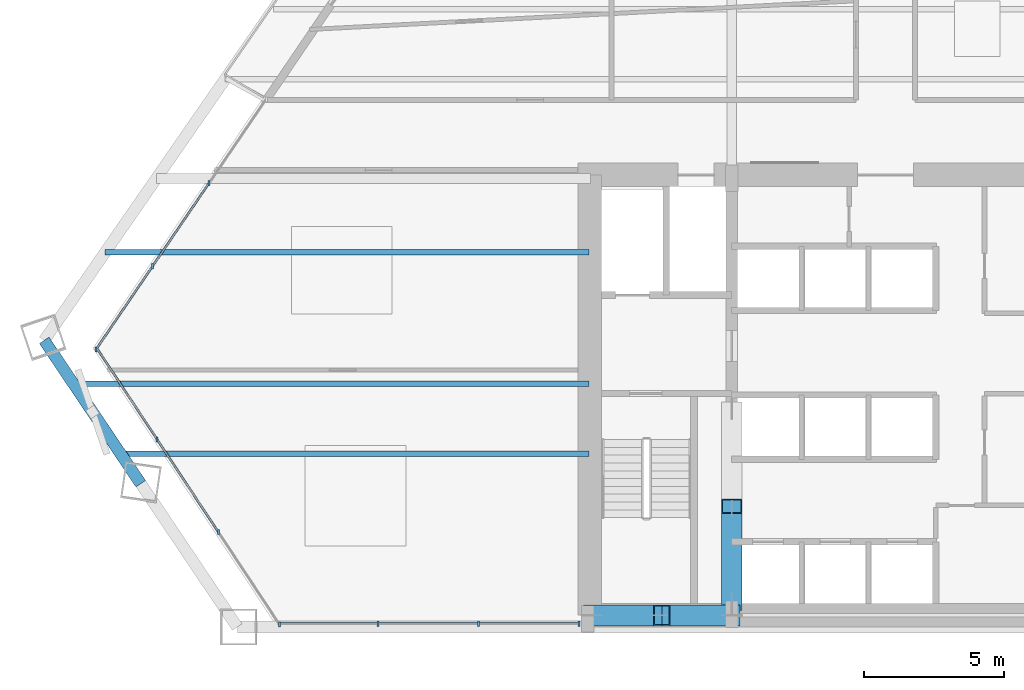
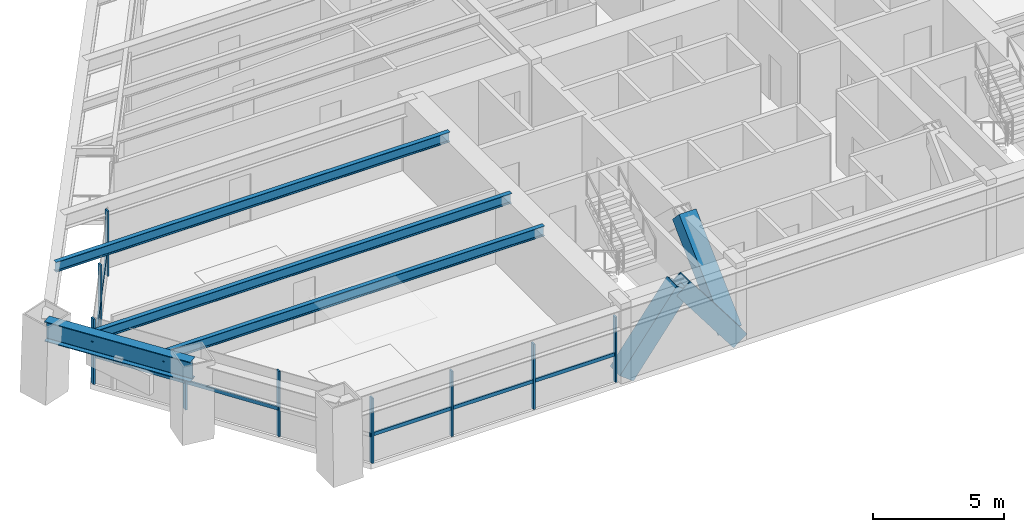
# One storey, part 2 of 14: 19 members, 4 beams, 3 elements without a shape of their own.
"""IFC4 building model written with IfcOpenShell, lengths in metres."""

import ifcopenshell
import ifcopenshell.guid

model = None  # the IFC model being written
_history = None  # IfcOwnerHistory: only IFC2X3 demands one
_inside = {}  # id of a spatial element -> (the spatial element, [elements in it])
_under = {}  # id of a project, library or spatial element -> (it, [spatial elements below it])
_declared = {}  # id of a project -> (the project, [libraries it declares])
_typed = {}  # id of a type object -> (the type object, [elements of that type])
_made_of = {}  # id of a material, layer set ... -> (it, [elements and type objects made of it])


def new_model(schema):
    """Start an empty IFC model of exactly this schema.

    Asked for "IFC4X3", IfcOpenShell would pick the latest addendum, in which some entities
    have other attributes; the version numbers below select the first issue.
    IFC2X3 requires an IfcOwnerHistory on every rooted entity: one is made here for all.
    """
    global model, _history
    if schema == "IFC4X3":
        model = ifcopenshell.file(schema_version=(4, 3, 0, 0))
    else:
        model = ifcopenshell.file(schema=schema)
    _inside.clear()
    _under.clear()
    _declared.clear()
    _typed.clear()
    _made_of.clear()
    _history = None
    if model.schema == "IFC2X3":
        org = make("IfcOrganization", Name="unknown")
        user = make(
            "IfcPersonAndOrganization",
            ThePerson=make("IfcPerson", FamilyName="unknown"),
            TheOrganization=org,
        )
        app = make(
            "IfcApplication",
            ApplicationDeveloper=org,
            Version="unknown",
            ApplicationFullName="unknown",
            ApplicationIdentifier="unknown",
        )
        _history = make(
            "IfcOwnerHistory",
            OwningUser=user,
            OwningApplication=app,
            ChangeAction="ADDED",
            CreationDate=0,
        )
    return model


def make(cls, **values):
    """One entity of the class cls with the attributes given. An attribute that is None is left unset."""
    return model.create_entity(
        cls, **{name: value for name, value in values.items() if value is not None}
    )


def rooted(cls, **values):
    """An entity with a GlobalId (a new one), such as an element, a storey or a relation."""
    return make(cls, GlobalId=ifcopenshell.guid.new(), OwnerHistory=_history, **values)


def si_unit(unit_type, name, prefix=None):
    """IfcSIUnit, for example si_unit("LENGTHUNIT", "METRE", prefix="MILLI")."""
    return make("IfcSIUnit", UnitType=unit_type, Prefix=prefix, Name=name)


def assignment(units):
    """IfcUnitAssignment: the units of a project."""
    return None if units is None else make("IfcUnitAssignment", Units=units)


def point(xyz):
    """IfcCartesianPoint."""
    return None if xyz is None else make("IfcCartesianPoint", Coordinates=xyz)


def direction(xyz):
    """IfcDirection."""
    return None if xyz is None else make("IfcDirection", DirectionRatios=xyz)


def frame(location, z_axis=None, x_axis=None):
    """IfcAxis2Placement3D, a coordinate frame: its origin and axes. An axis left out is left unset."""
    return make(
        "IfcAxis2Placement3D",
        Location=point(location),
        Axis=direction(z_axis),
        RefDirection=direction(x_axis),
    )


def frame_2d(location, x_axis=None):
    """IfcAxis2Placement2D, a coordinate frame in the plane: its origin and x axis."""
    return make(
        "IfcAxis2Placement2D", Location=point(location), RefDirection=direction(x_axis)
    )


def origin():
    """The frame at (0, 0, 0) with its axes left unset."""
    return frame((0.0, 0.0, 0.0))


def origin_2d():
    """The frame at (0, 0) in the plane with its x axis left unset."""
    return frame_2d((0.0, 0.0))


def place(relative_to, where):
    """IfcLocalPlacement: puts the frame where relative to a parent placement (None: the world)."""
    return make(
        "IfcLocalPlacement", PlacementRelTo=relative_to, RelativePlacement=where
    )


def context(
    kind, dimensions, precision=None, world=None, true_north=None, identifier=None
):
    """IfcGeometricRepresentationContext, for example the 3D "Model" context."""
    return make(
        "IfcGeometricRepresentationContext",
        ContextIdentifier=identifier,
        ContextType=kind,
        CoordinateSpaceDimension=dimensions,
        Precision=precision,
        WorldCoordinateSystem=world,
        TrueNorth=true_north,
    )


def subcontext(parent, identifier, kind, view, scale=None):
    """IfcGeometricRepresentationSubContext, for example "Body" below "Model"."""
    return make(
        "IfcGeometricRepresentationSubContext",
        ContextIdentifier=identifier,
        ContextType=kind,
        ParentContext=parent,
        TargetScale=scale,
        TargetView=view,
    )


def project(units=None, contexts=None):
    """IfcProject with its units and contexts."""
    return rooted(
        "IfcProject",
        Name="project",
        RepresentationContexts=contexts,
        UnitsInContext=assignment(units),
    )


def spatial(cls, under=None, at=None, **own):
    """A site, building, storey or space (cls), placed at a placement, below another one or the project."""
    s = rooted(cls, ObjectPlacement=at, **own)
    if under is not None:
        _under.setdefault(under.id(), (under, []))[1].append(s)
    return s


def profile(cls, at=None, kind="AREA", **sizes):
    """A parametric profile (cls). Its sizes go by their IFC names, for example OverallWidth=200.0."""
    return make(cls, ProfileType=kind, Position=at, **sizes)


def rectangle(**sizes):
    """IfcRectangleProfileDef."""
    return profile("IfcRectangleProfileDef", **sizes)


def hollow_rectangle(**sizes):
    """IfcRectangleHollowProfileDef."""
    return profile("IfcRectangleHollowProfileDef", **sizes)


def i_section(**sizes):
    """IfcIShapeProfileDef."""
    return profile("IfcIShapeProfileDef", **sizes)


def extrude(swept, where, along, depth):
    """IfcExtrudedAreaSolid: the profile swept, set in the frame where, extruded along a direction by depth."""
    return make(
        "IfcExtrudedAreaSolid",
        SweptArea=swept,
        Position=where,
        ExtrudedDirection=direction(along),
        Depth=depth,
    )


def shape(context_of_items, identifier, shape_type, items):
    """IfcShapeRepresentation: the items that make up one representation, for example the "Body"."""
    return make(
        "IfcShapeRepresentation",
        ContextOfItems=context_of_items,
        RepresentationIdentifier=identifier,
        RepresentationType=shape_type,
        Items=items,
    )


def source(mapping_origin, context_of_items, identifier, shape_type, items):
    """IfcRepresentationMap: a shape defined once, which mapped items show again and again."""
    return make(
        "IfcRepresentationMap",
        MappingOrigin=mapping_origin,
        MappedRepresentation=shape(context_of_items, identifier, shape_type, items),
    )


def transform(
    local_origin,
    x_axis=None,
    y_axis=None,
    z_axis=None,
    scale=None,
    scale2=None,
    scale3=None,
    uniform=True,
):
    """IfcCartesianTransformationOperator3D, or its non-uniform kind. x_axis, y_axis, z_axis: its Axis1, 2, 3."""
    if uniform:
        return make(
            "IfcCartesianTransformationOperator3D",
            Axis1=direction(x_axis),
            Axis2=direction(y_axis),
            LocalOrigin=point(local_origin),
            Scale=scale,
            Axis3=direction(z_axis),
        )
    return make(
        "IfcCartesianTransformationOperator3DnonUniform",
        Axis1=direction(x_axis),
        Axis2=direction(y_axis),
        LocalOrigin=point(local_origin),
        Scale=scale,
        Axis3=direction(z_axis),
        Scale2=scale2,
        Scale3=scale3,
    )


def mapped(mapping_source, mapping_target):
    """IfcMappedItem: shows the shape of a source again, moved by a transform."""
    return make(
        "IfcMappedItem", MappingSource=mapping_source, MappingTarget=mapping_target
    )


def material(Name=None, Category=None):
    """IfcMaterial."""
    return make("IfcMaterial", Name=Name, Category=Category)


def material_profile(
    of_material, cross_section, Name=None, Category=None, Priority=None
):
    """IfcMaterialProfile: a cross section and its material."""
    return make(
        "IfcMaterialProfile",
        Name=Name,
        Material=of_material,
        Profile=cross_section,
        Priority=Priority,
        Category=Category,
    )


def profile_set(profiles, Name=None, composite=None):
    """IfcMaterialProfileSet."""
    return make(
        "IfcMaterialProfileSet",
        Name=Name,
        MaterialProfiles=profiles,
        CompositeProfile=composite,
    )


def made_of(thing, what):
    """Note that an element or type object is made of a material, layer set ...; save() writes the relation."""
    if what is not None:
        _made_of.setdefault(what.id(), (what, []))[1].append(thing)
    return thing


def type_object(cls, material=None, **own):
    """A type object (cls), such as IfcWallType, which elements share."""
    return made_of(rooted(cls, **own), material)


def type_shapes(of_type, sources):
    """Give a type object the sources (RepresentationMaps) that its elements show as mapped items."""
    of_type.RepresentationMaps = sources


def element(
    cls,
    number,
    at=None,
    inside=None,
    cuts=None,
    type_object=None,
    material=None,
    context=None,
    identifier="Body",
    shape_type=None,
    held_by="IfcProductDefinitionShape",
    body=None,
    shapes=None,
    **own,
):
    """One element of the class cls, such as IfcWall. Its Tag is "e" and its number.

    at: its placement. inside: the storey or other place that contains it. cuts: it is an
    opening in that element (IfcRelVoidsElement). A single representation is given by context,
    identifier, shape_type and body (its items); several are given by shapes. held_by: the class
    of the entity that holds the representations. save() writes the other relations.
    """
    e = rooted(cls, Tag="e%d" % number, ObjectPlacement=at, **own)
    if body is not None:
        shapes = [shape(context, identifier, shape_type, body)]
    if shapes is not None:
        e.Representation = make(held_by, Representations=shapes)
    if inside is not None:
        _inside.setdefault(inside.id(), (inside, []))[1].append(e)
    if cuts is not None:
        rooted(
            "IfcRelVoidsElement", RelatingBuildingElement=cuts, RelatedOpeningElement=e
        )
    if type_object is not None:
        _typed.setdefault(type_object.id(), (type_object, []))[1].append(e)
    return made_of(e, material)


def aggregate(whole, parts):
    """IfcRelAggregates: a whole, such as a stair, and the parts it consists of."""
    return rooted("IfcRelAggregates", RelatingObject=whole, RelatedObjects=parts)


def save(model, path):
    """Write the relations noted so far, then the file.

    IfcRelAggregates (storeys below a building ...), IfcRelContainedInSpatialStructure (elements
    in a storey), IfcRelDefinesByType, IfcRelAssociatesMaterial and IfcRelDeclares: one each for
    every whole, place, type object, material and project.
    """
    for whole, parts in _under.values():
        aggregate(whole, parts)
    for where, things in _inside.values():
        rooted(
            "IfcRelContainedInSpatialStructure",
            RelatedElements=things,
            RelatingStructure=where,
        )
    for kind, things in _typed.values():
        rooted("IfcRelDefinesByType", RelatedObjects=things, RelatingType=kind)
    for what, things in _made_of.values():
        rooted("IfcRelAssociatesMaterial", RelatedObjects=things, RelatingMaterial=what)
    for by, libraries in _declared.values():
        rooted("IfcRelDeclares", RelatingContext=by, RelatedDefinitions=libraries)
    model.write(path)


model = new_model("IFC4")

# Units and contexts
model_context = context("Model", 3, precision=1e-05, world=origin(), true_north=direction((0.0, 1.0)))
body_context = subcontext(model_context, "Body", "Model", "MODEL_VIEW")
ifc_project = project(units=[si_unit("LENGTHUNIT", "METRE"), si_unit("AREAUNIT", "SQUARE_METRE"), si_unit("VOLUMEUNIT", "CUBIC_METRE"), si_unit("PLANEANGLEUNIT", "RADIAN"), si_unit("MASSUNIT", "GRAM", prefix="KILO")], contexts=[model_context])

# Site, building, storey
site_placement = place(None, origin())
site = spatial("IfcSite", under=ifc_project, at=site_placement, CompositionType="ELEMENT")
building_placement = place(site_placement, origin())
building = spatial("IfcBuilding", under=site, at=building_placement, Name="Varnakhor Terracotta Tower", CompositionType="ELEMENT")
storey_placement = place(building_placement, frame((0.0, 0.0, 64.5)))
storey = spatial("IfcBuildingStorey", under=building, at=storey_placement, Name="L15", CompositionType="ELEMENT", Elevation=64.5)

# Members
ifc_material_1 = material(Name="Steel S460", Category="steel")
ifc_material_profile_1 = material_profile(ifc_material_1, hollow_rectangle(XDim=0.75, YDim=0.75, WallThickness=0.044921875, at=origin_2d()), Name="HSS750X750X45")
ifc_profile_set_1 = profile_set([ifc_material_profile_1], Name="Steel S460")
member_type_1 = type_object("IfcMemberType", Name="MBR-MEGA-750", PredefinedType="BRACE", material=ifc_profile_set_1)
shared_shape_1 = source(origin(), body_context, "Body", "SweptSolid", [
    extrude(hollow_rectangle(XDim=0.75, YDim=0.75, WallThickness=0.044921875, at=origin_2d()), origin(), (0.0, 0.0, 1.0), 4.14013671875),
])
type_shapes(member_type_1, [shared_shape_1])
for number, where, z_axis, x_axis, name in (
    (1, (-10.5, 0.419921875, 0.0), (0.603852011179, 0.0, 0.797096448741), (0.0, 1.0, 0.0), "L15 Core Coupled Brace CSWA"),
    (2, (-5.5, 0.419921875, 0.0), (-0.603852011179, 0.0, 0.797096448741), (0.0, -1.0, 0.0), "L15 Core Coupled Brace CSWB"),
):
    element("IfcMember", number, at=place(storey_placement, frame(where, z_axis=z_axis, x_axis=x_axis)), inside=storey, type_object=member_type_1, Name=name, PredefinedType="BRACE", context=body_context, shape_type="MappedRepresentation", body=[
        mapped(shared_shape_1, transform((0.0, 0.0, 0.0), scale=1.0)),
    ])
shared_shape_2 = source(origin(), body_context, "Body", "SweptSolid", [
    extrude(hollow_rectangle(XDim=0.75, YDim=0.75, WallThickness=0.044921875, at=origin_2d()), origin(), (0.0, 0.0, 1.0), 4.792236328125),
])
member_1_placement = place(storey_placement, frame((-5.5, 0.85009765625, 0.0), z_axis=(0.0, 0.725110085518, 0.688632967466), x_axis=(-1.0, 0.0, 0.0)))
element("IfcMember", 3, at=member_1_placement, inside=storey, type_object=member_type_1, Name="L15 Core Coupled Brace CWWA", PredefinedType="BRACE", context=body_context, shape_type="MappedRepresentation", body=[
    mapped(shared_shape_2, transform((0.0, 0.0, 0.0), scale=1.0)),
])

# Beams
ifc_material_2 = material(Name="Steel S355", Category="steel")
ifc_material_profile_2 = material_profile(ifc_material_2, i_section(OverallWidth=0.41796875, OverallDepth=0.927001953125, WebThickness=0.01904296875, FlangeThickness=0.031982421875, FilletRadius=0.01806640625, at=origin_2d()), Name="W36X231")
ifc_profile_set_2 = profile_set([ifc_material_profile_2], Name="Steel S355")
beam_type_1 = type_object("IfcBeamType", Name="BM-W36X231", PredefinedType="BEAM", material=ifc_profile_set_2)
shared_shape_3 = source(origin(), body_context, "Body", "SweptSolid", [
    extrude(i_section(OverallWidth=0.41796875, OverallDepth=0.927001953125, WebThickness=0.01904296875, FlangeThickness=0.031982421875, FilletRadius=0.01806640625, at=origin_2d()), origin(), (0.0, 0.0, 1.0), 6.181640625),
])
beam_1_placement = place(storey_placement, frame((-30.092529296875, 10.2548828125, 2.986572265625), z_axis=(0.55854049024, -0.829477257532, 0.0), x_axis=(0.829477257532, 0.55854049024, 0.0)))
element("IfcBeam", 4, at=beam_1_placement, inside=storey, type_object=beam_type_1, Name="L15 Perimeter Spandrel 7", PredefinedType="BEAM", context=body_context, shape_type="MappedRepresentation", body=[
    mapped(shared_shape_3, transform((0.0, 0.0, 0.0), scale=1.0)),
])
ifc_material_profile_3 = material_profile(ifc_material_2, i_section(OverallWidth=0.19189453125, OverallDepth=0.462890625, WebThickness=0.010498046875, FlangeThickness=0.017578125, FilletRadius=0.01806640625, at=origin_2d()), Name="W18X60")
ifc_profile_set_3 = profile_set([ifc_material_profile_3], Name="Steel S355")
beam_type_2 = type_object("IfcBeamType", Name="JST-W18X60", PredefinedType="JOIST", material=ifc_profile_set_3)
shared_shape_4 = source(origin(), body_context, "Body", "SweptSolid", [
    extrude(i_section(OverallWidth=0.19189453125, OverallDepth=0.462890625, WebThickness=0.010498046875, FlangeThickness=0.017578125, FilletRadius=0.01806640625, at=origin_2d()), origin(), (0.0, 0.0, 1.0), 16.76220703125),
])
beam_2_placement = place(storey_placement, frame((-27.3623046875, 6.199951171875, 3.218505859375), z_axis=(1.0, 0.0, 0.0), x_axis=(0.0, 1.0, 0.0)))
element("IfcBeam", 5, at=beam_2_placement, inside=storey, type_object=beam_type_2, Name="L15 Floor Joist W1", PredefinedType="JOIST", context=body_context, shape_type="MappedRepresentation", body=[
    mapped(shared_shape_4, transform((0.0, 0.0, 0.0), scale=1.0)),
])
shared_shape_5 = source(origin(), body_context, "Body", "SweptSolid", [
    extrude(i_section(OverallWidth=0.19189453125, OverallDepth=0.462890625, WebThickness=0.010498046875, FlangeThickness=0.017578125, FilletRadius=0.01806640625, at=origin_2d()), origin(), (0.0, 0.0, 1.0), 18.445556640625),
])
beam_3_placement = place(storey_placement, frame((-29.045654296875, 8.699951171875, 3.218505859375), z_axis=(1.0, 0.0, 0.0), x_axis=(0.0, 1.0, 0.0)))
element("IfcBeam", 6, at=beam_3_placement, inside=storey, type_object=beam_type_2, Name="L15 Floor Joist W2", PredefinedType="JOIST", context=body_context, shape_type="MappedRepresentation", body=[
    mapped(shared_shape_5, transform((0.0, 0.0, 0.0), scale=1.0)),
])
shared_shape_6 = source(origin(), body_context, "Body", "SweptSolid", [
    extrude(i_section(OverallWidth=0.19189453125, OverallDepth=0.462890625, WebThickness=0.010498046875, FlangeThickness=0.017578125, FilletRadius=0.01806640625, at=origin_2d()), origin(), (0.0, 0.0, 1.0), 17.314208984375),
])
beam_4_placement = place(storey_placement, frame((-27.914306640625, 13.39990234375, 3.218505859375), z_axis=(1.0, 0.0, 0.0), x_axis=(0.0, 1.0, 0.0)))
element("IfcBeam", 7, at=beam_4_placement, inside=storey, type_object=beam_type_2, Name="L15 Floor Joist W3", PredefinedType="JOIST", context=body_context, shape_type="MappedRepresentation", body=[
    mapped(shared_shape_6, transform((0.0, 0.0, 0.0), scale=1.0)),
])

# Curtain wall, members
ifc_material_3 = material(Name="Anodised Aluminium Curtain Wall System", Category="aluminium")
curtain_wall_type = type_object("IfcCurtainWallType", Name="CW-SYS-LOW-OFFICE", PredefinedType="NOTDEFINED", material=ifc_material_3)
curtain_wall_1_placement = place(storey_placement, origin())
curtain_wall_1 = element("IfcCurtainWall", 8, at=curtain_wall_1_placement, inside=storey, type_object=curtain_wall_type, Name="L15 W Facet Curtain Wall 1", PredefinedType="NOTDEFINED")
ifc_material_4 = material(Name="Anodised Aluminium 6063-T6", Category="aluminium")
ifc_material_profile_4 = material_profile(ifc_material_4, rectangle(XDim=0.074951171875, YDim=0.18505859375, at=origin_2d()), Name="ALU MULLION 75x185")
ifc_profile_set_4 = profile_set([ifc_material_profile_4], Name="Anodised Aluminium 6063-T6")
member_type_2 = type_object("IfcMemberType", Name="CWM-02", PredefinedType="MULLION", material=ifc_profile_set_4)
shared_shape_7 = source(origin(), body_context, "Body", "SweptSolid", [
    extrude(rectangle(XDim=0.074951171875, YDim=0.18505859375, at=origin_2d()), origin(), (0.0, 0.0, 1.0), 3.030029296875),
])
type_shapes(member_type_2, [shared_shape_7])
member_2_placement = place(storey_placement, frame((-28.238037109375, 9.93115234375, 0.0), z_axis=(0.0, 0.0, 1.0), x_axis=(1.0, 0.0, 0.0)))
member_2 = element("IfcMember", 9, at=member_2_placement, type_object=member_type_2, Name="L15 W Facet Curtain Wall 1 Mullion 1", PredefinedType="MULLION", context=body_context, shape_type="MappedRepresentation", body=[
    mapped(shared_shape_7, transform((0.0, 0.0, 0.0), scale=1.0)),
])
member_3_placement = place(storey_placement, frame((-26.216796875, 12.905517578125, 0.0), z_axis=(0.0, 0.0, 1.0), x_axis=(1.0, 0.0, 0.0)))
member_3 = element("IfcMember", 10, at=member_3_placement, type_object=member_type_2, Name="L15 W Facet Curtain Wall 1 Mullion 2", PredefinedType="MULLION", context=body_context, shape_type="MappedRepresentation", body=[
    mapped(shared_shape_7, transform((0.0, 0.0, 0.0), scale=1.0)),
])
member_4_placement = place(storey_placement, frame((-24.195556640625, 15.880126953125, 0.0), z_axis=(0.0, 0.0, 1.0), x_axis=(1.0, 0.0, 0.0)))
member_4 = element("IfcMember", 11, at=member_4_placement, type_object=member_type_2, Name="L15 W Facet Curtain Wall 1 Mullion 3", PredefinedType="MULLION", context=body_context, shape_type="MappedRepresentation", body=[
    mapped(shared_shape_7, transform((0.0, 0.0, 0.0), scale=1.0)),
])

curtain_wall_2_placement = place(storey_placement, origin())
curtain_wall_2 = element("IfcCurtainWall", 12, at=curtain_wall_2_placement, inside=storey, type_object=curtain_wall_type, Name="L15 South Wing Curtain Wall SSW", PredefinedType="NOTDEFINED")
member_5_placement = place(storey_placement, frame((-10.969970703125, 0.1201171875, 0.0), z_axis=(0.0, 0.0, 1.0), x_axis=(1.0, 0.0, 0.0)))
member_5 = element("IfcMember", 13, at=member_5_placement, type_object=member_type_2, Name="L15 South Wing Curtain Wall SSW Mullion 1", PredefinedType="MULLION", context=body_context, shape_type="MappedRepresentation", body=[
    mapped(shared_shape_7, transform((0.0, 0.0, 0.0), scale=1.0)),
])
member_6_placement = place(storey_placement, frame((-14.564208984375, 0.1201171875, 0.0), z_axis=(0.0, 0.0, 1.0), x_axis=(1.0, 0.0, 0.0)))
member_6 = element("IfcMember", 14, at=member_6_placement, type_object=member_type_2, Name="L15 South Wing Curtain Wall SSW Mullion 2", PredefinedType="MULLION", context=body_context, shape_type="MappedRepresentation", body=[
    mapped(shared_shape_7, transform((0.0, 0.0, 0.0), scale=1.0)),
])
member_7_placement = place(storey_placement, frame((-18.158447265625, 0.1201171875, 0.0), z_axis=(0.0, 0.0, 1.0), x_axis=(1.0, 0.0, 0.0)))
member_7 = element("IfcMember", 15, at=member_7_placement, type_object=member_type_2, Name="L15 South Wing Curtain Wall SSW Mullion 3", PredefinedType="MULLION", context=body_context, shape_type="MappedRepresentation", body=[
    mapped(shared_shape_7, transform((0.0, 0.0, 0.0), scale=1.0)),
])

curtain_wall_3_placement = place(storey_placement, origin())
curtain_wall_3 = element("IfcCurtainWall", 16, at=curtain_wall_3_placement, inside=storey, type_object=curtain_wall_type, Name="L15 Facet Curtain Wall 6", PredefinedType="NOTDEFINED")
member_8_placement = place(storey_placement, frame((-21.678955078125, 0.09130859375, 0.0), z_axis=(0.0, 0.0, 1.0), x_axis=(1.0, 0.0, 0.0)))
member_8 = element("IfcMember", 17, at=member_8_placement, type_object=member_type_2, Name="L15 Facet Curtain Wall 6 Mullion 1", PredefinedType="MULLION", context=body_context, shape_type="MappedRepresentation", body=[
    mapped(shared_shape_7, transform((0.0, 0.0, 0.0), scale=1.0)),
])
member_9_placement = place(storey_placement, frame((-23.865234375, 3.399169921875, 0.0), z_axis=(0.0, 0.0, 1.0), x_axis=(1.0, 0.0, 0.0)))
member_9 = element("IfcMember", 18, at=member_9_placement, type_object=member_type_2, Name="L15 Facet Curtain Wall 6 Mullion 2", PredefinedType="MULLION", context=body_context, shape_type="MappedRepresentation", body=[
    mapped(shared_shape_7, transform((0.0, 0.0, 0.0), scale=1.0)),
])
member_10_placement = place(storey_placement, frame((-26.051513671875, 6.70703125, 0.0), z_axis=(0.0, 0.0, 1.0), x_axis=(1.0, 0.0, 0.0)))
member_10 = element("IfcMember", 19, at=member_10_placement, type_object=member_type_2, Name="L15 Facet Curtain Wall 6 Mullion 3", PredefinedType="MULLION", context=body_context, shape_type="MappedRepresentation", body=[
    mapped(shared_shape_7, transform((0.0, 0.0, 0.0), scale=1.0)),
])

# Member
ifc_material_profile_5 = material_profile(ifc_material_4, rectangle(XDim=0.074951171875, YDim=0.1650390625, at=origin_2d()), Name="ALU TRANSOM 75x165")
ifc_profile_set_5 = profile_set([ifc_material_profile_5], Name="Anodised Aluminium 6063-T6")
member_type_3 = type_object("IfcMemberType", Name="CWT-02", PredefinedType="USERDEFINED", material=ifc_profile_set_5)
shared_shape_8 = source(origin(), body_context, "Body", "SweptSolid", [
    extrude(rectangle(XDim=0.074951171875, YDim=0.1650390625, at=origin_2d()), origin(), (0.0, 0.0, 1.0), 3.59619140625),
])
member_11_placement = place(storey_placement, frame((-28.238037109375, 9.93115234375, 1.272705078125), z_axis=(0.56205745206, 0.827098192831, 0.0), x_axis=(-0.827098192831, 0.56205745206, 0.0)))
member_11 = element("IfcMember", 20, at=member_11_placement, type_object=member_type_3, Name="L15 W Facet Curtain Wall 1 Transom 1", ObjectType="TRANSOM", PredefinedType="USERDEFINED", context=body_context, shape_type="MappedRepresentation", body=[
    mapped(shared_shape_8, transform((0.0, 0.0, 0.0), scale=1.0)),
])

shared_shape_9 = source(origin(), body_context, "Body", "SweptSolid", [
    extrude(rectangle(XDim=0.074951171875, YDim=0.1650390625, at=origin_2d()), origin(), (0.0, 0.0, 1.0), 3.596435546875),
])
member_12_placement = place(storey_placement, frame((-26.216796875, 12.905517578125, 1.272705078125), z_axis=(0.56202589316, 0.827119637911, 0.0), x_axis=(-0.827119637911, 0.56202589316, 0.0)))
member_12 = element("IfcMember", 21, at=member_12_placement, type_object=member_type_3, Name="L15 W Facet Curtain Wall 1 Transom 2", ObjectType="TRANSOM", PredefinedType="USERDEFINED", context=body_context, shape_type="MappedRepresentation", body=[
    mapped(shared_shape_9, transform((0.0, 0.0, 0.0), scale=1.0)),
])

aggregate(curtain_wall_1, [member_2, member_11, member_3, member_12, member_4])

shared_shape_10 = source(origin(), body_context, "Body", "SweptSolid", [
    extrude(rectangle(XDim=0.074951171875, YDim=0.1650390625, at=origin_2d()), origin(), (0.0, 0.0, 1.0), 3.59423828125),
])
member_13_placement = place(storey_placement, frame((-10.969970703125, 0.1201171875, 1.272705078125), z_axis=(-1.0, 0.0, 0.0), x_axis=(0.0, -1.0, 0.0)))
member_13 = element("IfcMember", 22, at=member_13_placement, type_object=member_type_3, Name="L15 South Wing Curtain Wall SSW Transom 1", ObjectType="TRANSOM", PredefinedType="USERDEFINED", context=body_context, shape_type="MappedRepresentation", body=[
    mapped(shared_shape_10, transform((0.0, 0.0, 0.0), scale=1.0)),
])

member_14_placement = place(storey_placement, frame((-14.564208984375, 0.1201171875, 1.272705078125), z_axis=(-1.0, 0.0, 0.0), x_axis=(0.0, -1.0, 0.0)))
member_14 = element("IfcMember", 23, at=member_14_placement, type_object=member_type_3, Name="L15 South Wing Curtain Wall SSW Transom 2", ObjectType="TRANSOM", PredefinedType="USERDEFINED", context=body_context, shape_type="MappedRepresentation", body=[
    mapped(shared_shape_10, transform((0.0, 0.0, 0.0), scale=1.0)),
])

member_15_placement = place(storey_placement, frame((-18.158447265625, 0.1201171875, 1.272705078125), z_axis=(-1.0, 0.0, 0.0), x_axis=(0.0, -1.0, 0.0)))
member_15 = element("IfcMember", 24, at=member_15_placement, type_object=member_type_3, Name="L15 South Wing Curtain Wall SSW Transom 3", ObjectType="TRANSOM", PredefinedType="USERDEFINED", context=body_context, shape_type="MappedRepresentation", body=[
    mapped(shared_shape_10, transform((0.0, 0.0, 0.0), scale=1.0)),
])

aggregate(curtain_wall_2, [member_5, member_13, member_6, member_14, member_7, member_15])

shared_shape_11 = source(origin(), body_context, "Body", "SweptSolid", [
    extrude(rectangle(XDim=0.074951171875, YDim=0.1650390625, at=origin_2d()), origin(), (0.0, 0.0, 1.0), 3.965087890625),
])
member_16_placement = place(storey_placement, frame((-23.865234375, 3.399169921875, 1.272705078125), z_axis=(-0.551385079059, 0.83425085831, 0.0), x_axis=(-0.83425085831, -0.551385079059, 0.0)))
member_16 = element("IfcMember", 25, at=member_16_placement, type_object=member_type_3, Name="L15 Facet Curtain Wall 6 Transom 2", ObjectType="TRANSOM", PredefinedType="USERDEFINED", context=body_context, shape_type="MappedRepresentation", body=[
    mapped(shared_shape_11, transform((0.0, 0.0, 0.0), scale=1.0)),
])

shared_shape_12 = source(origin(), body_context, "Body", "SweptSolid", [
    extrude(rectangle(XDim=0.074951171875, YDim=0.1650390625, at=origin_2d()), origin(), (0.0, 0.0, 1.0), 3.96484375),
])
member_17_placement = place(storey_placement, frame((-26.051513671875, 6.70703125, 1.272705078125), z_axis=(-0.551342223727, 0.834279181291, 0.0), x_axis=(-0.834279181291, -0.551342223727, 0.0)))
member_17 = element("IfcMember", 26, at=member_17_placement, type_object=member_type_3, Name="L15 Facet Curtain Wall 6 Transom 3", ObjectType="TRANSOM", PredefinedType="USERDEFINED", context=body_context, shape_type="MappedRepresentation", body=[
    mapped(shared_shape_12, transform((0.0, 0.0, 0.0), scale=1.0)),
])

aggregate(curtain_wall_3, [member_8, member_9, member_16, member_10, member_17])

save(model, "model.ifc")
